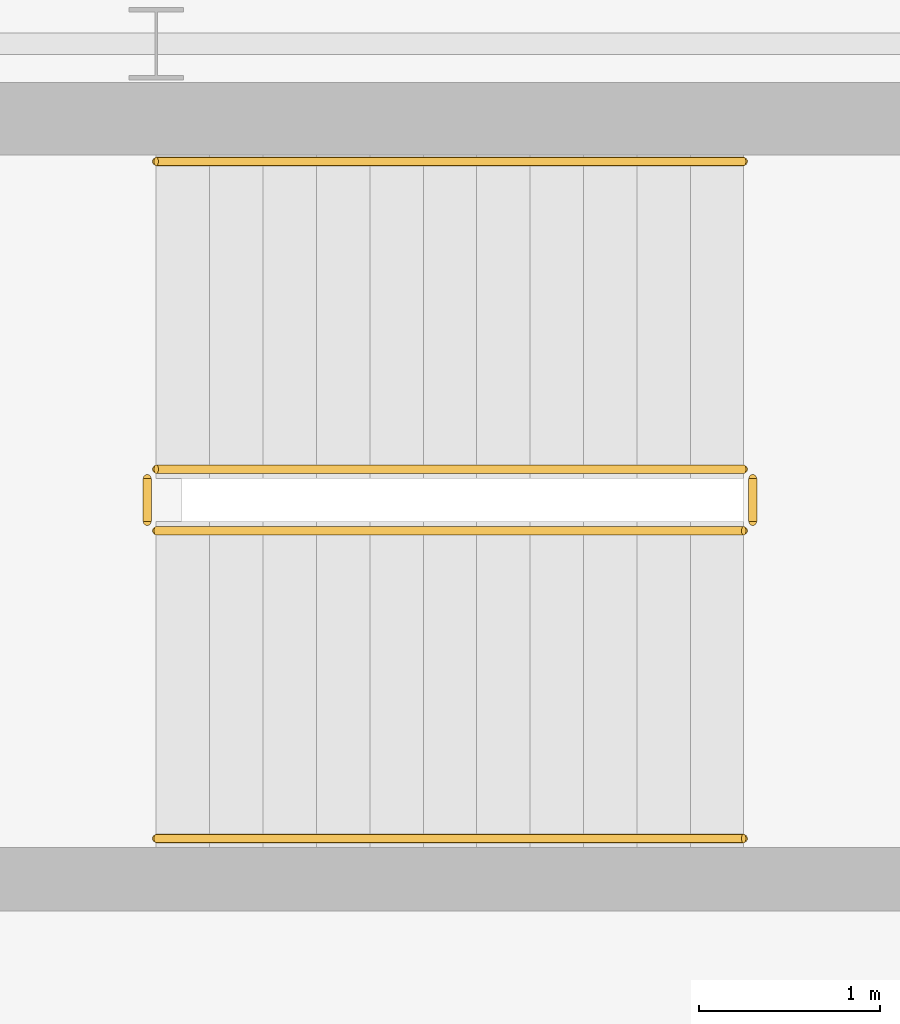
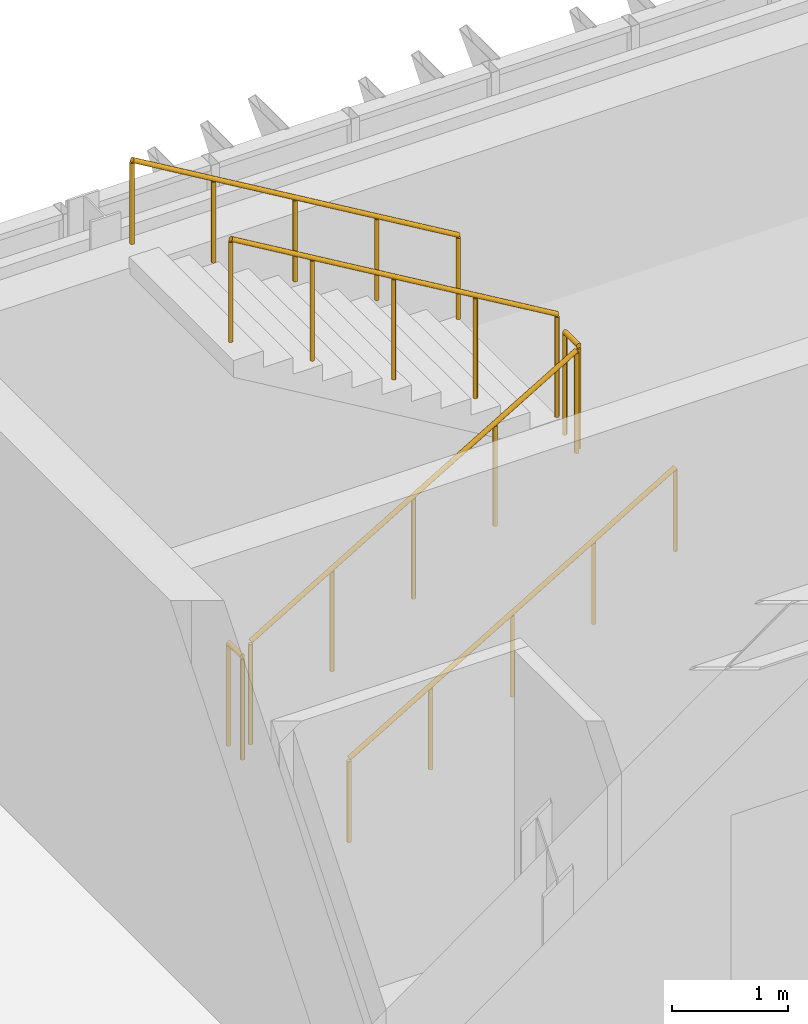
# One storey, part 126 of 127: 6 railings.
"""IFC4 building model written with IfcOpenShell, lengths in metres."""

from ifc_helpers import new_model, si_unit, direction, frame, origin, origin_2d, place, context, subcontext, project, spatial, circle, extrude, material, type_object, element, save


model = new_model("IFC4")

# Units and contexts
model_context = context("Model", 3, precision=1e-05, world=origin(), true_north=direction((0.0, 1.0)))
body_context = subcontext(model_context, "Body", "Model", "MODEL_VIEW")
ifc_project = project(units=[si_unit("LENGTHUNIT", "METRE"), si_unit("AREAUNIT", "SQUARE_METRE"), si_unit("VOLUMEUNIT", "CUBIC_METRE"), si_unit("PLANEANGLEUNIT", "RADIAN"), si_unit("MASSUNIT", "GRAM", prefix="KILO")], contexts=[model_context])

# Site, building, storey
site_placement = place(None, origin())
site = spatial("IfcSite", under=ifc_project, at=site_placement, CompositionType="ELEMENT")
building_placement = place(site_placement, origin())
building = spatial("IfcBuilding", under=site, at=building_placement, Name="Zayran Congress Hotel", CompositionType="ELEMENT")
storey_placement = place(building_placement, frame((0.0, 0.0, 10.800048828125)))
storey = spatial("IfcBuildingStorey", under=building, at=storey_placement, Name="L02", CompositionType="ELEMENT", Elevation=10.800048828125)

# Railings
ifc_material_1 = material(Name="Painted steel balustrade", Category="steel")
railing_type_1 = type_object("IfcRailingType", Name="TP-GRD-INT", PredefinedType="GUARDRAIL", material=ifc_material_1)
railing_1_placement = place(storey_placement, frame((84.0, 114.7099609375, 0.175048828125)))
element("IfcRailing", 1, at=railing_1_placement, inside=storey, type_object=railing_type_1, Name="L02 ST-04 stair guard 1", PredefinedType="GUARDRAIL", context=body_context, shape_type="SweptSolid", body=[
    extrude(circle(Radius=0.02392578125, at=origin_2d()), frame((0.0, 0.0, 1.076171875), z_axis=(0.860085452069, 0.0, 0.510149992786), x_axis=(0.0, 1.0, 0.0)), (0.0, 0.0, 1.0), 3.77294921875),
    extrude(circle(Radius=0.02099609375, at=origin_2d()), origin(), (0.0, 0.0, 1.0), 1.052001953125),
    extrude(circle(Radius=0.02099609375, at=origin_2d()), frame((0.811279296875, 0.0, 0.481201171875)), (0.0, 0.0, 1.0), 1.052001953125),
    extrude(circle(Radius=0.02099609375, at=origin_2d()), frame((1.62255859375, 0.0, 0.96240234375)), (0.0, 0.0, 1.0), 1.052001953125),
    extrude(circle(Radius=0.02099609375, at=origin_2d()), frame((2.433837890625, 0.0, 1.443603515625)), (0.0, 0.0, 1.0), 1.052001953125),
    extrude(circle(Radius=0.02099609375, at=origin_2d()), frame((3.2451171875, 0.0, 1.9248046875)), (0.0, 0.0, 1.0), 1.052001953125),
])
railing_2_placement = place(storey_placement, frame((87.294921875, 114.760009765625, 2.099853515625)))
element("IfcRailing", 2, at=railing_2_placement, inside=storey, type_object=railing_type_1, Name="L02 ST-04 stair guard 2", PredefinedType="GUARDRAIL", context=body_context, shape_type="SweptSolid", body=[
    extrude(circle(Radius=0.02392578125, at=origin_2d()), frame((0.0, 0.0, 1.076171875), z_axis=(0.0, 1.0, 0.0), x_axis=(-1.0, 0.0, 0.0)), (0.0, 0.0, 1.0), 0.239990234375),
    extrude(circle(Radius=0.02099609375, at=origin_2d()), origin(), (0.0, 0.0, 1.0), 1.052001953125),
    extrude(circle(Radius=0.02099609375, at=origin_2d()), frame((0.0, 0.239990234375, 0.0)), (0.0, 0.0, 1.0), 1.052001953125),
])
railing_3_placement = place(storey_placement, frame((87.2451171875, 115.050048828125, 2.27490234375)))
element("IfcRailing", 3, at=railing_3_placement, inside=storey, type_object=railing_type_1, Name="L02 ST-04 stair guard 3", PredefinedType="GUARDRAIL", context=body_context, shape_type="SweptSolid", body=[
    extrude(circle(Radius=0.02392578125, at=origin_2d()), frame((0.0, 0.0, 1.076171875), z_axis=(-0.860057060016, 0.0, 0.510197857224), x_axis=(0.0, -1.0, 0.0)), (0.0, 0.0, 1.0), 3.773193359375),
    extrude(circle(Radius=0.02099609375, at=origin_2d()), origin(), (0.0, 0.0, 1.0), 1.052001953125),
    extrude(circle(Radius=0.02099609375, at=origin_2d()), frame((-0.811279296875, 0.0, 0.481201171875)), (0.0, 0.0, 1.0), 1.052001953125),
    extrude(circle(Radius=0.02099609375, at=origin_2d()), frame((-1.62255859375, 0.0, 0.96240234375)), (0.0, 0.0, 1.0), 1.052001953125),
    extrude(circle(Radius=0.02099609375, at=origin_2d()), frame((-2.433837890625, 0.0, 1.44384765625)), (0.0, 0.0, 1.0), 1.052001953125),
    extrude(circle(Radius=0.02099609375, at=origin_2d()), frame((-3.2451171875, 0.0, 1.925048828125)), (0.0, 0.0, 1.0), 1.052001953125),
])
railing_4_placement = place(storey_placement, frame((83.949951171875, 114.760009765625, 0.0)))
element("IfcRailing", 4, at=railing_4_placement, inside=storey, type_object=railing_type_1, Name="L02 ST-04 stair guard 4", PredefinedType="GUARDRAIL", context=body_context, shape_type="SweptSolid", body=[
    extrude(circle(Radius=0.02392578125, at=origin_2d()), frame((0.0, 0.0, 1.076171875), z_axis=(0.0, 1.0, 0.0), x_axis=(-1.0, 0.0, 0.0)), (0.0, 0.0, 1.0), 0.239990234375),
    extrude(circle(Radius=0.02099609375, at=origin_2d()), origin(), (0.0, 0.0, 1.0), 1.052001953125),
    extrude(circle(Radius=0.02099609375, at=origin_2d()), frame((0.0, 0.239990234375, 0.0)), (0.0, 0.0, 1.0), 1.052001953125),
])
ifc_material_2 = material(Name="Brushed stainless steel handrail", Category="steel")
railing_type_2 = type_object("IfcRailingType", Name="TP-HND-STR", PredefinedType="HANDRAIL", material=ifc_material_2)
railing_5_placement = place(storey_placement, frame((84.0, 113.010009765625, 0.175048828125)))
element("IfcRailing", 5, at=railing_5_placement, inside=storey, type_object=railing_type_2, Name="L02 ST-04 stair handrail 1", PredefinedType="HANDRAIL", context=body_context, shape_type="SweptSolid", body=[
    extrude(circle(Radius=0.02392578125, at=origin_2d()), frame((0.0, 0.0, 0.8759765625), z_axis=(0.860085452069, 0.0, 0.510149992786), x_axis=(0.0, 1.0, 0.0)), (0.0, 0.0, 1.0), 3.77294921875),
    extrude(circle(Radius=0.02099609375, at=origin_2d()), origin(), (0.0, 0.0, 1.0), 0.851806640625),
    extrude(circle(Radius=0.02099609375, at=origin_2d()), frame((0.811279296875, 0.0, 0.481201171875)), (0.0, 0.0, 1.0), 0.851806640625),
    extrude(circle(Radius=0.02099609375, at=origin_2d()), frame((1.62255859375, 0.0, 0.96240234375)), (0.0, 0.0, 1.0), 0.851806640625),
    extrude(circle(Radius=0.02099609375, at=origin_2d()), frame((2.433837890625, 0.0, 1.443603515625)), (0.0, 0.0, 1.0), 0.851806640625),
    extrude(circle(Radius=0.02099609375, at=origin_2d()), frame((3.2451171875, 0.0, 1.9248046875)), (0.0, 0.0, 1.0), 0.851806640625),
])
railing_6_placement = place(storey_placement, frame((87.2451171875, 116.75, 2.27490234375)))
element("IfcRailing", 6, at=railing_6_placement, inside=storey, type_object=railing_type_2, Name="L02 ST-04 stair handrail 2", PredefinedType="HANDRAIL", context=body_context, shape_type="SweptSolid", body=[
    extrude(circle(Radius=0.02392578125, at=origin_2d()), frame((0.0, 0.0, 0.8759765625), z_axis=(-0.860057060016, 0.0, 0.510197857224), x_axis=(0.0, -1.0, 0.0)), (0.0, 0.0, 1.0), 3.773193359375),
    extrude(circle(Radius=0.02099609375, at=origin_2d()), origin(), (0.0, 0.0, 1.0), 0.851806640625),
    extrude(circle(Radius=0.02099609375, at=origin_2d()), frame((-0.811279296875, 0.0, 0.481201171875)), (0.0, 0.0, 1.0), 0.851806640625),
    extrude(circle(Radius=0.02099609375, at=origin_2d()), frame((-1.62255859375, 0.0, 0.96240234375)), (0.0, 0.0, 1.0), 0.851806640625),
    extrude(circle(Radius=0.02099609375, at=origin_2d()), frame((-2.433837890625, 0.0, 1.44384765625)), (0.0, 0.0, 1.0), 0.851806640625),
    extrude(circle(Radius=0.02099609375, at=origin_2d()), frame((-3.2451171875, 0.0, 1.925048828125)), (0.0, 0.0, 1.0), 0.851806640625),
])

save(model, "model.ifc")
